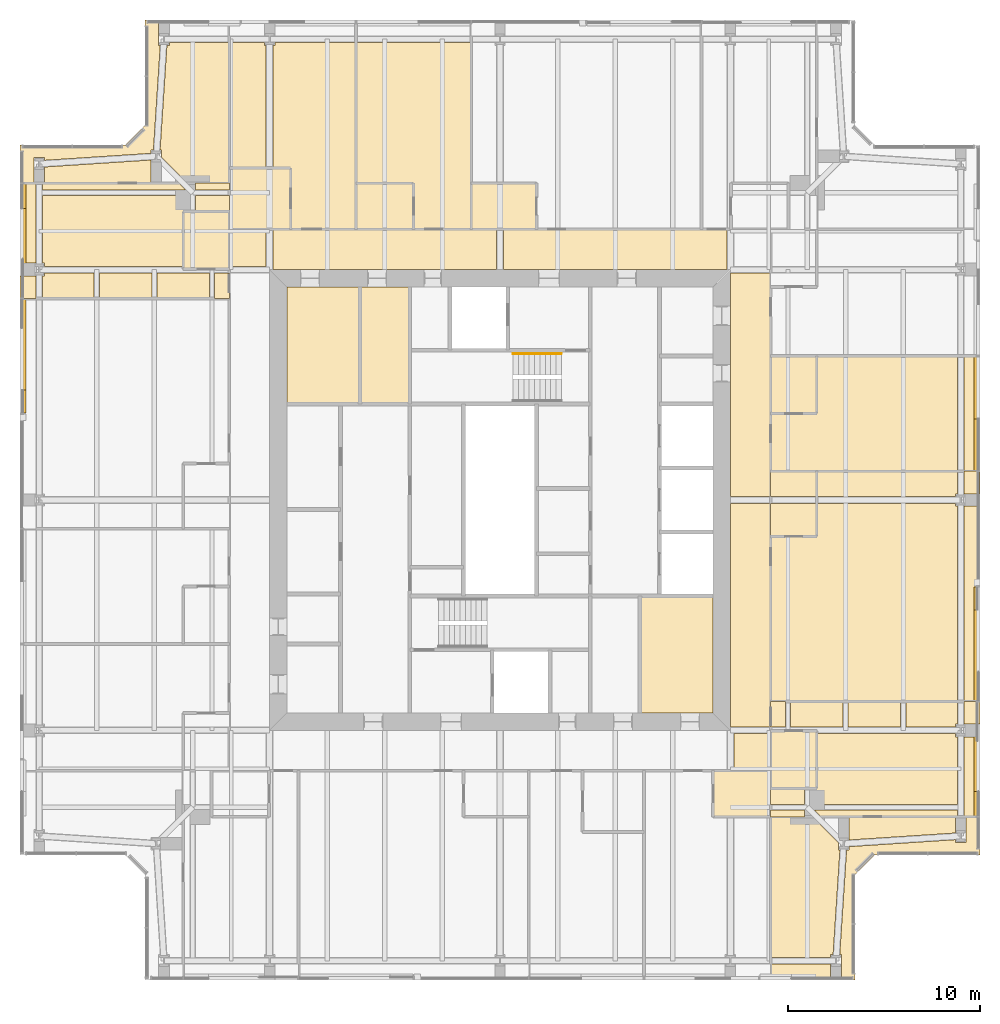
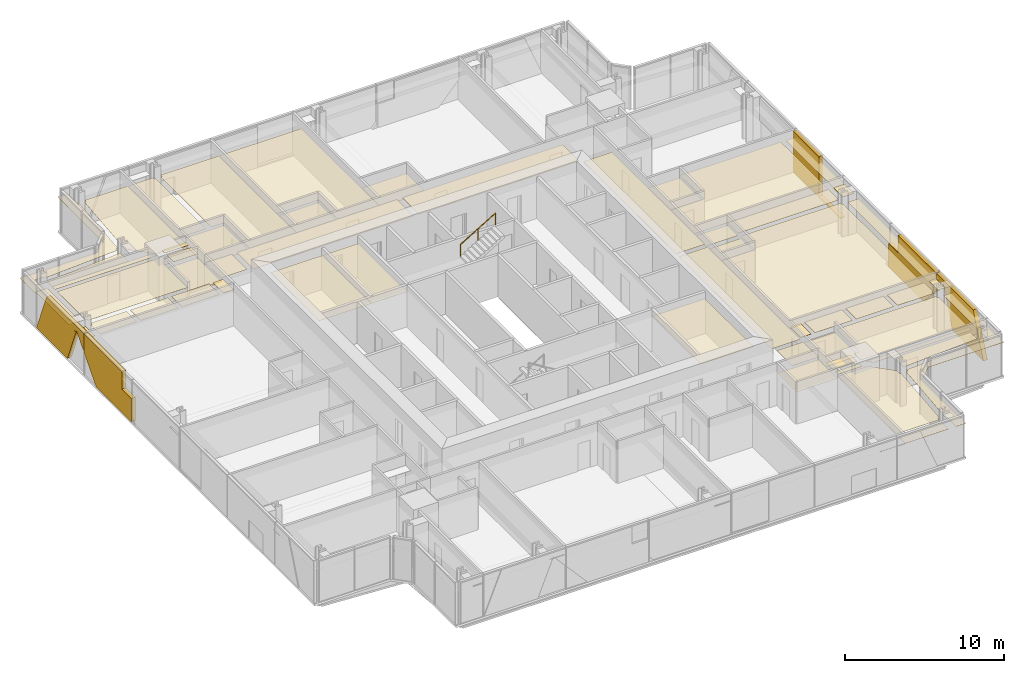
# One storey, part 17 of 18: 59 coverings, 1 railing.
"""IFC4 building model written with IfcOpenShell, lengths in metres."""

from ifc_helpers import new_model, si_unit, direction, frame, origin, origin_2d, place, context, subcontext, project, spatial, polyline, circle, outline, extrude, material, layer, layer_set, type_object, element, save


model = new_model("IFC4")

# Units and contexts
model_context = context("Model", 3, precision=1e-05, world=origin(), true_north=direction((0.0, 1.0)))
body_context = subcontext(model_context, "Body", "Model", "MODEL_VIEW")
ifc_project = project(units=[si_unit("LENGTHUNIT", "METRE"), si_unit("AREAUNIT", "SQUARE_METRE"), si_unit("VOLUMEUNIT", "CUBIC_METRE"), si_unit("PLANEANGLEUNIT", "RADIAN"), si_unit("MASSUNIT", "GRAM", prefix="KILO")], contexts=[model_context])

# Site, building, storey
site_placement = place(None, origin())
site = spatial("IfcSite", under=ifc_project, at=site_placement, CompositionType="ELEMENT")
building_placement = place(site_placement, origin())
building = spatial("IfcBuilding", under=site, at=building_placement, Name="Fenwick Lantern Interchange", CompositionType="ELEMENT")
storey_placement = place(building_placement, frame((0.0, 0.0, 262.800048828125)))
storey = spatial("IfcBuildingStorey", under=building, at=storey_placement, Name="L62", CompositionType="ELEMENT", Elevation=262.800048828125)

# Coverings
ifc_material_1 = material(Name="Granite cladding, warm grey flamed finish, on aluminium carrier frame", Category="masonry")
ifc_layer_1 = layer(ifc_material_1, 0.300048828125)
ifc_layer_set_1 = layer_set([ifc_layer_1], Name="BRACE CASING PANEL 300")
covering_type_1 = type_object("IfcCoveringType", Name="BRACE CASING PANEL 300", PredefinedType="CLADDING", material=ifc_layer_set_1)
covering_1_placement = place(storey_placement, frame((49.89990234375, 6.60009765625, 0.0), z_axis=(0.0, 0.0, 1.0), x_axis=(0.0, 1.0, 0.0)))
element("IfcCovering", 1, at=covering_1_placement, inside=storey, type_object=covering_type_1, Name="Brace casing 05 bay 01a", PredefinedType="CLADDING", context=body_context, shape_type="SweptSolid", body=[
    extrude(outline(polyline([(1.953369140625, 0.0), (5.836669921875, 0.0), (6.97705078125, 2.819580078125), (7.8701171875, 1.807373046875), (7.8701171875, 3.14990234375), (3.227294921875, 3.14990234375), (1.953369140625, 0.0)])), frame((0.0, 0.2099609375, 0.0), z_axis=(0.0, -1.0, 0.0), x_axis=(1.0, 0.0, 0.0)), (0.0, 0.0, 1.0), 0.300048828125),
])
covering_2_placement = place(storey_placement, frame((49.89990234375, 6.60009765625, 0.0), z_axis=(0.0, 0.0, 1.0), x_axis=(0.0, 1.0, 0.0)))
element("IfcCovering", 2, at=covering_2_placement, inside=storey, type_object=covering_type_1, Name="Brace casing 05 bay 02a", PredefinedType="CLADDING", context=body_context, shape_type="SweptSolid", body=[
    extrude(outline(polyline([(9.46484375, 0.0), (13.8701171875, 0.0), (13.8701171875, 1.80126953125), (12.67626953125, 1.80126953125), (12.67626953125, 3.14990234375), (7.929931640625, 3.14990234375), (7.929931640625, 1.7392578125), (9.46484375, 0.0)])), frame((0.0, 0.2099609375, 0.0), z_axis=(0.0, -1.0, 0.0), x_axis=(1.0, 0.0, 0.0)), (0.0, 0.0, 1.0), 0.300048828125),
])
covering_3_placement = place(storey_placement, frame((49.89990234375, 6.60009765625, 0.0), z_axis=(0.0, 0.0, 1.0), x_axis=(0.0, 1.0, 0.0)))
element("IfcCovering", 3, at=covering_3_placement, inside=storey, type_object=covering_type_1, Name="Brace casing 05 bay 04a", PredefinedType="CLADDING", context=body_context, shape_type="SweptSolid", body=[
    extrude(outline(polyline([(19.929931640625, 0.0), (25.8701171875, 0.0), (25.8701171875, 3.14990234375), (22.6201171875, 3.14990234375), (22.6201171875, 0.09716796875), (19.929931640625, 0.09716796875), (19.929931640625, 0.0)])), frame((0.0, 0.2099609375, 0.0), z_axis=(0.0, -1.0, 0.0), x_axis=(1.0, 0.0, 0.0)), (0.0, 0.0, 1.0), 0.300048828125),
])
covering_4_placement = place(storey_placement, frame((0.10009765625, 43.39990234375, 0.0), z_axis=(0.0, 0.0, 1.0), x_axis=(0.0, -1.0, 0.0)))
element("IfcCovering", 4, at=covering_4_placement, inside=storey, type_object=covering_type_1, Name="Brace casing 13 bay 01a", PredefinedType="CLADDING", context=body_context, shape_type="SweptSolid", body=[
    extrude(outline(polyline([(1.953369140625, 0.0), (5.836669921875, 0.0), (6.97705078125, 2.819580078125), (7.8701171875, 1.807373046875), (7.8701171875, 3.14990234375), (3.227294921875, 3.14990234375), (1.953369140625, 0.0)])), frame((0.0, 0.2099609375, 0.0), z_axis=(0.0, -1.0, 0.0), x_axis=(1.0, 0.0, 0.0)), (0.0, 0.0, 1.0), 0.300048828125),
])
covering_5_placement = place(storey_placement, frame((0.10009765625, 43.39990234375, 0.0), z_axis=(0.0, 0.0, 1.0), x_axis=(0.0, -1.0, 0.0)))
element("IfcCovering", 5, at=covering_5_placement, inside=storey, type_object=covering_type_1, Name="Brace casing 13 bay 02a", PredefinedType="CLADDING", context=body_context, shape_type="SweptSolid", body=[
    extrude(outline(polyline([(9.46484375, 0.0), (13.8701171875, 0.0), (13.8701171875, 1.80126953125), (12.67626953125, 1.80126953125), (12.67626953125, 3.14990234375), (7.929931640625, 3.14990234375), (7.929931640625, 1.7392578125), (9.46484375, 0.0)])), frame((0.0, 0.2099609375, 0.0), z_axis=(0.0, -1.0, 0.0), x_axis=(1.0, 0.0, 0.0)), (0.0, 0.0, 1.0), 0.300048828125),
])

# Railing
ifc_material_2 = material(Name="Stainless steel handrail", Category="steel")
railing_type = type_object("IfcRailingType", Name="HANDRAIL 900", PredefinedType="HANDRAIL", material=ifc_material_2)
railing_placement = place(storey_placement, frame((25.679931640625, 32.6259765625, 1.869873046875)))
element("IfcRailing", 6, at=railing_placement, inside=storey, type_object=railing_type, Name="L62/STAIR/ST2/HR2", PredefinedType="HANDRAIL", context=body_context, shape_type="SweptSolid", body=[
    extrude(circle(Radius=0.02392578125, at=origin_2d()), frame((0.0, 0.0, 0.8759765625), z_axis=(0.85478489116, 0.0, 0.518982456201), x_axis=(0.0, 1.0, 0.0)), (0.0, 0.0, 1.0), 2.9482421875),
    extrude(circle(Radius=0.02099609375, at=origin_2d()), origin(), (0.0, 0.0, 1.0), 0.851806640625),
    extrude(circle(Radius=0.02099609375, at=origin_2d()), frame((1.260009765625, 0.0, 0.76513671875)), (0.0, 0.0, 1.0), 0.851806640625),
    extrude(circle(Radius=0.02099609375, at=origin_2d()), frame((2.52001953125, 0.0, 1.530029296875)), (0.0, 0.0, 1.0), 0.851806640625),
])

# Coverings
ifc_material_3 = material(Name="Moisture resistant gypsum board on suspended frame, painted")
ifc_layer_2 = layer(ifc_material_3, 0.014892578125)
ifc_layer_set_2 = layer_set([ifc_layer_2], Name="MOISTURE RESISTANT CEILING 15")
covering_type_2 = type_object("IfcCoveringType", Name="MOISTURE RESISTANT CEILING 15", PredefinedType="CEILING", material=ifc_layer_set_2)
covering_6_placement = place(storey_placement, frame((0.0, 0.0, 2.599853515625)))
element("IfcCovering", 7, at=covering_6_placement, inside=storey, type_object=covering_type_2, Name="Women's WC ceiling", PredefinedType="CEILING", context=body_context, shape_type="SweptSolid", body=[
    extrude(outline(polyline([(32.300048828125, 13.89990234375), (36.10009765625, 13.89990234375), (36.10009765625, 20.0), (32.300048828125, 20.0), (32.300048828125, 13.89990234375)])), origin(), (0.0, 0.0, 1.0), 0.01513671875),
])
covering_7_placement = place(storey_placement, frame((0.0, 0.0, 2.599853515625)))
element("IfcCovering", 8, at=covering_7_placement, inside=storey, type_object=covering_type_2, Name="Men's WC ceiling", PredefinedType="CEILING", context=body_context, shape_type="SweptSolid", body=[
    extrude(outline(polyline([(20.300048828125, 36.10009765625), (17.699951171875, 36.10009765625), (17.699951171875, 30.0), (20.300048828125, 30.0), (20.300048828125, 36.10009765625)])), origin(), (0.0, 0.0, 1.0), 0.01513671875),
])
covering_8_placement = place(storey_placement, frame((0.0, 0.0, 2.599853515625)))
element("IfcCovering", 9, at=covering_8_placement, inside=storey, type_object=covering_type_2, Name="Women's WC ceiling", PredefinedType="CEILING", context=body_context, shape_type="SweptSolid", body=[
    extrude(outline(polyline([(17.699951171875, 36.10009765625), (13.89990234375, 36.10009765625), (13.89990234375, 30.0), (17.699951171875, 30.0), (17.699951171875, 36.10009765625)])), origin(), (0.0, 0.0, 1.0), 0.01513671875),
])
covering_9_placement = place(storey_placement, frame((0.0, 0.0, 2.39990234375)))
element("IfcCovering", 10, at=covering_9_placement, inside=storey, type_object=covering_type_2, Name="En-suite 6204 ceiling", PredefinedType="CEILING", context=body_context, shape_type="SweptSolid", body=[
    extrude(outline(polyline([(36.10009765625, 8.5), (39.10009765625, 8.5), (39.10009765625, 10.89990234375), (36.10009765625, 10.89990234375), (36.10009765625, 8.5)])), origin(), (0.0, 0.0, 1.0), 0.01513671875),
])
covering_10_placement = place(storey_placement, frame((0.0, 0.0, 2.39990234375)))
element("IfcCovering", 11, at=covering_10_placement, inside=storey, type_object=covering_type_2, Name="En-suite 6205 ceiling", PredefinedType="CEILING", context=body_context, shape_type="SweptSolid", body=[
    extrude(outline(polyline([(41.5, 9.97509765625), (41.5, 12.97509765625), (39.10009765625, 12.97509765625), (39.10009765625, 9.97509765625), (41.5, 9.97509765625)])), origin(), (0.0, 0.0, 1.0), 0.01513671875),
])
covering_11_placement = place(storey_placement, frame((0.0, 0.0, 2.39990234375)))
element("IfcCovering", 12, at=covering_11_placement, inside=storey, type_object=covering_type_2, Name="En-suite 6206 ceiling", PredefinedType="CEILING", context=body_context, shape_type="SweptSolid", body=[
    extrude(outline(polyline([(41.5, 23.10009765625), (41.5, 24.824951171875), (39.10009765625, 24.824951171875), (39.10009765625, 23.10009765625), (41.5, 23.10009765625)])), origin(), (0.0, 0.0, 1.0), 0.01513671875),
])
covering_12_placement = place(storey_placement, frame((0.0, 0.0, 2.39990234375)))
element("IfcCovering", 13, at=covering_12_placement, inside=storey, type_object=covering_type_2, Name="En-suite 6206 ceiling", PredefinedType="CEILING", context=body_context, shape_type="SweptSolid", body=[
    extrude(outline(polyline([(39.10009765625, 26.5), (39.10009765625, 25.175048828125), (41.5, 25.175048828125), (41.5, 26.5), (39.10009765625, 26.5)])), origin(), (0.0, 0.0, 1.0), 0.01513671875),
])
covering_13_placement = place(storey_placement, frame((0.0, 0.0, 2.39990234375)))
element("IfcCovering", 14, at=covering_13_placement, inside=storey, type_object=covering_type_2, Name="En-suite 6207 ceiling", PredefinedType="CEILING", context=body_context, shape_type="SweptSolid", body=[
    extrude(outline(polyline([(41.5, 29.5), (41.5, 32.5), (39.10009765625, 32.5), (39.10009765625, 29.5), (41.5, 29.5)])), origin(), (0.0, 0.0, 1.0), 0.01513671875),
])
covering_14_placement = place(storey_placement, frame((0.0, 0.0, 2.39990234375)))
element("IfcCovering", 15, at=covering_14_placement, inside=storey, type_object=covering_type_2, Name="En-suite 6210 ceiling", PredefinedType="CEILING", context=body_context, shape_type="SweptSolid", body=[
    extrude(outline(polyline([(26.89990234375, 41.5), (23.5, 41.5), (23.5, 39.10009765625), (26.89990234375, 39.10009765625), (26.89990234375, 41.5)])), origin(), (0.0, 0.0, 1.0), 0.01513671875),
])
covering_15_placement = place(storey_placement, frame((0.0, 0.0, 2.39990234375)))
element("IfcCovering", 16, at=covering_15_placement, inside=storey, type_object=covering_type_2, Name="En-suite 6211 ceiling", PredefinedType="CEILING", context=body_context, shape_type="SweptSolid", body=[
    extrude(outline(polyline([(20.5, 41.5), (17.5, 41.5), (17.5, 39.10009765625), (20.5, 39.10009765625), (20.5, 41.5)])), origin(), (0.0, 0.0, 1.0), 0.01513671875),
])
covering_16_placement = place(storey_placement, frame((0.0, 0.0, 2.39990234375)))
element("IfcCovering", 17, at=covering_16_placement, inside=storey, type_object=covering_type_2, Name="En-suite 6212 ceiling", PredefinedType="CEILING", context=body_context, shape_type="SweptSolid", body=[
    extrude(outline(polyline([(14.10009765625, 42.300048828125), (10.89990234375, 42.300048828125), (10.89990234375, 39.10009765625), (14.10009765625, 39.10009765625), (14.10009765625, 42.300048828125)])), origin(), (0.0, 0.0, 1.0), 0.01513671875),
])
covering_17_placement = place(storey_placement, frame((0.0, 0.0, 2.39990234375)))
element("IfcCovering", 18, at=covering_17_placement, inside=storey, type_object=covering_type_2, Name="En-suite 6213 ceiling", PredefinedType="CEILING", context=body_context, shape_type="SweptSolid", body=[
    extrude(outline(polyline([(8.5, 40.02490234375), (8.5, 37.02490234375), (10.89990234375, 37.02490234375), (10.89990234375, 40.02490234375), (8.5, 40.02490234375)])), origin(), (0.0, 0.0, 1.0), 0.01513671875),
])
ifc_material_4 = material(Name="Gypsum plasterboard on suspended frame, painted")
ifc_layer_3 = layer(ifc_material_4, 0.014892578125)
ifc_layer_set_3 = layer_set([ifc_layer_3], Name="PLASTERBOARD CEILING 15")
covering_type_3 = type_object("IfcCoveringType", Name="PLASTERBOARD CEILING 15", PredefinedType="CEILING", material=ifc_layer_set_3)
covering_18_placement = place(storey_placement, frame((0.0, 0.0, 2.57275390625)))
element("IfcCovering", 19, at=covering_18_placement, inside=storey, type_object=covering_type_3, Name="Corridor ceiling", PredefinedType="CEILING", context=body_context, shape_type="SweptSolid", body=[
    extrude(outline(polyline([(39.10009765625, 25.175048828125), (39.10009765625, 36.833984375), (37.0, 36.833984375), (37.0, 25.175048828125), (39.10009765625, 25.175048828125)])), origin(), (0.0, 0.0, 1.0), 0.01513671875),
])
covering_19_placement = place(storey_placement, frame((0.0, 0.0, 2.57275390625)))
element("IfcCovering", 20, at=covering_19_placement, inside=storey, type_object=covering_type_3, Name="Corridor ceiling", PredefinedType="CEILING", context=body_context, shape_type="SweptSolid", body=[
    extrude(outline(polyline([(39.10009765625, 13.166015625), (39.10009765625, 24.824951171875), (37.0, 24.824951171875), (37.0, 13.166015625), (39.10009765625, 13.166015625)])), origin(), (0.0, 0.0, 1.0), 0.01513671875),
])
covering_20_placement = place(storey_placement, frame((0.0, 0.0, 2.57275390625)))
element("IfcCovering", 21, at=covering_20_placement, inside=storey, type_object=covering_type_3, Name="Corridor ceiling", PredefinedType="CEILING", context=body_context, shape_type="SweptSolid", body=[
    extrude(outline(polyline([(24.816162109375, 39.10009765625), (13.183837890625, 39.10009765625), (13.183837890625, 37.0), (24.816162109375, 37.0), (24.816162109375, 39.10009765625)])), origin(), (0.0, 0.0, 1.0), 0.01513671875),
])
covering_21_placement = place(storey_placement, frame((0.0, 0.0, 2.57275390625)))
element("IfcCovering", 22, at=covering_21_placement, inside=storey, type_object=covering_type_3, Name="Corridor ceiling", PredefinedType="CEILING", context=body_context, shape_type="SweptSolid", body=[
    extrude(outline(polyline([(36.816162109375, 39.10009765625), (25.183837890625, 39.10009765625), (25.183837890625, 37.0), (36.816162109375, 37.0), (36.816162109375, 39.10009765625)])), origin(), (0.0, 0.0, 1.0), 0.01513671875),
])
covering_22_placement = place(storey_placement, frame((0.0, 0.0, 2.57275390625)))
element("IfcCovering", 23, at=covering_22_placement, inside=storey, type_object=covering_type_3, Name="Corridor ceiling", PredefinedType="CEILING", context=body_context, shape_type="SweptSolid", body=[
    extrude(outline(polyline([(12.816162109375, 39.10009765625), (10.89990234375, 39.10009765625), (10.89990234375, 37.166015625), (12.816162109375, 37.166015625), (12.816162109375, 39.10009765625)])), origin(), (0.0, 0.0, 1.0), 0.01513671875),
])
covering_23_placement = place(storey_placement, frame((0.0, 0.0, 2.57275390625)))
element("IfcCovering", 24, at=covering_23_placement, inside=storey, type_object=covering_type_3, Name="Corridor ceiling", PredefinedType="CEILING", context=body_context, shape_type="SweptSolid", body=[
    extrude(outline(polyline([(39.10009765625, 10.89990234375), (39.10009765625, 12.833984375), (37.183837890625, 12.833984375), (37.183837890625, 10.89990234375), (39.10009765625, 10.89990234375)])), origin(), (0.0, 0.0, 1.0), 0.01513671875),
])
covering_24_placement = place(storey_placement, frame((0.0, 0.0, 2.57275390625)))
element("IfcCovering", 25, at=covering_24_placement, inside=storey, type_object=covering_type_3, Name="Guest suite 6205 sitting room ceiling", PredefinedType="CEILING", context=body_context, shape_type="SweptSolid", body=[
    extrude(outline(polyline([(42.22265625, 1.33447265625), (42.34912109375, 1.33447265625), (42.705322265625, 6.765625), (42.62255859375, 6.765625), (42.62255859375, 7.160400390625), (41.283203125, 8.5), (39.10009765625, 8.5), (39.10009765625, 1.17236328125), (42.22265625, 1.17236328125), (42.22265625, 1.33447265625)])), origin(), (0.0, 0.0, 1.0), 0.01513671875),
])
covering_25_placement = place(storey_placement, frame((0.0, 0.0, 2.57275390625)))
element("IfcCovering", 26, at=covering_25_placement, inside=storey, type_object=covering_type_3, Name="Guest suite 6205 sitting room ceiling", PredefinedType="CEILING", context=body_context, shape_type="SweptSolid", body=[
    extrude(outline(polyline([(42.77734375, 1.33447265625), (42.77734375, 0.0), (43.5, 0.0), (43.5, 5.5), (44.5, 6.5), (50.0, 6.5), (50.0, 8.5), (49.27734375, 8.5), (49.27734375, 7.16552734375), (48.72265625, 7.16552734375), (48.72265625, 7.30908203125), (43.17724609375, 6.9453125), (43.17724609375, 6.765625), (43.05078125, 6.765625), (42.69482421875, 1.33447265625), (42.77734375, 1.33447265625)])), origin(), (0.0, 0.0, 1.0), 0.01513671875),
])
covering_26_placement = place(storey_placement, frame((0.0, 0.0, 2.57275390625)))
element("IfcCovering", 27, at=covering_26_placement, inside=storey, type_object=covering_type_3, Name="Guest suite 6205 sitting room ceiling", PredefinedType="CEILING", context=body_context, shape_type="SweptSolid", body=[
    extrude(outline(polyline([(43.17724609375, 8.5), (43.17724609375, 7.291015625), (48.72265625, 7.654541015625), (48.72265625, 8.5), (43.17724609375, 8.5)])), origin(), (0.0, 0.0, 1.0), 0.01513671875),
])
covering_27_placement = place(storey_placement, frame((0.0, 0.0, 2.57275390625)))
element("IfcCovering", 28, at=covering_27_placement, inside=storey, type_object=covering_type_3, Name="Guest suite 6205 sitting room ceiling", PredefinedType="CEILING", context=body_context, shape_type="SweptSolid", body=[
    extrude(outline(polyline([(42.22265625, 0.0), (42.22265625, 0.82763671875), (39.10009765625, 0.82763671875), (39.10009765625, 0.0), (42.22265625, 0.0)])), origin(), (0.0, 0.0, 1.0), 0.01513671875),
])
covering_28_placement = place(storey_placement, frame((0.0, 0.0, 2.699951171875)))
element("IfcCovering", 29, at=covering_28_placement, inside=storey, type_object=covering_type_3, Name="Guest suite 6205 bedroom ceiling", PredefinedType="CEILING", context=body_context, shape_type="SweptSolid", body=[
    extrude(outline(polyline([(48.72265625, 12.66552734375), (48.72265625, 12.833984375), (41.5, 12.833984375), (41.5, 9.97509765625), (41.134521484375, 9.97509765625), (41.134521484375, 9.134521484375), (48.82763671875, 9.134521484375), (48.82763671875, 12.66552734375), (48.72265625, 12.66552734375)])), origin(), (0.0, 0.0, 1.0), 0.014892578125),
])
covering_29_placement = place(storey_placement, frame((0.0, 0.0, 2.699951171875)))
element("IfcCovering", 30, at=covering_29_placement, inside=storey, type_object=covering_type_3, Name="Guest suite 6205 bedroom ceiling", PredefinedType="CEILING", context=body_context, shape_type="SweptSolid", body=[
    extrude(outline(polyline([(42.865478515625, 14.5), (40.134521484375, 14.5), (40.134521484375, 13.166015625), (42.865478515625, 13.166015625), (42.865478515625, 14.5)])), origin(), (0.0, 0.0, 1.0), 0.014892578125),
])
covering_30_placement = place(storey_placement, frame((0.0, 0.0, 2.699951171875)))
element("IfcCovering", 31, at=covering_30_placement, inside=storey, type_object=covering_type_3, Name="Guest suite 6205 bedroom ceiling", PredefinedType="CEILING", context=body_context, shape_type="SweptSolid", body=[
    extrude(outline(polyline([(45.865478515625, 14.5), (43.134521484375, 14.5), (43.134521484375, 13.166015625), (45.865478515625, 13.166015625), (45.865478515625, 14.5)])), origin(), (0.0, 0.0, 1.0), 0.014892578125),
])
covering_31_placement = place(storey_placement, frame((0.0, 0.0, 2.699951171875)))
element("IfcCovering", 32, at=covering_31_placement, inside=storey, type_object=covering_type_3, Name="Guest suite 6205 bedroom ceiling", PredefinedType="CEILING", context=body_context, shape_type="SweptSolid", body=[
    extrude(outline(polyline([(48.72265625, 13.33447265625), (48.82763671875, 13.33447265625), (48.82763671875, 14.5), (46.134521484375, 14.5), (46.134521484375, 13.166015625), (48.72265625, 13.166015625), (48.72265625, 13.33447265625)])), origin(), (0.0, 0.0, 1.0), 0.014892578125),
])
covering_32_placement = place(storey_placement, frame((0.0, 0.0, 2.699951171875)))
element("IfcCovering", 33, at=covering_32_placement, inside=storey, type_object=covering_type_3, Name="Guest suite 6205 bedroom ceiling", PredefinedType="CEILING", context=body_context, shape_type="SweptSolid", body=[
    extrude(outline(polyline([(50.0, 12.66552734375), (49.17236328125, 12.66552734375), (49.17236328125, 8.5), (50.0, 8.5), (50.0, 12.66552734375)])), origin(), (0.0, 0.0, 1.0), 0.014892578125),
])
covering_33_placement = place(storey_placement, frame((0.0, 0.0, 2.699951171875)))
element("IfcCovering", 34, at=covering_33_placement, inside=storey, type_object=covering_type_3, Name="Guest suite 6205 bedroom ceiling", PredefinedType="CEILING", context=body_context, shape_type="SweptSolid", body=[
    extrude(outline(polyline([(41.716796875, 8.5), (48.82763671875, 8.5), (48.82763671875, 8.865478515625), (41.351318359375, 8.865478515625), (41.716796875, 8.5)])), origin(), (0.0, 0.0, 1.0), 0.014892578125),
])
covering_34_placement = place(storey_placement, frame((0.0, 0.0, 2.699951171875)))
element("IfcCovering", 35, at=covering_34_placement, inside=storey, type_object=covering_type_3, Name="Guest suite 6205 bedroom ceiling", PredefinedType="CEILING", context=body_context, shape_type="SweptSolid", body=[
    extrude(outline(polyline([(39.10009765625, 9.97509765625), (39.10009765625, 9.134521484375), (40.865478515625, 9.134521484375), (40.865478515625, 9.97509765625), (39.10009765625, 9.97509765625)])), origin(), (0.0, 0.0, 1.0), 0.014892578125),
])
covering_35_placement = place(storey_placement, frame((0.0, 0.0, 2.699951171875)))
element("IfcCovering", 36, at=covering_35_placement, inside=storey, type_object=covering_type_3, Name="Guest suite 6205 bedroom ceiling", PredefinedType="CEILING", context=body_context, shape_type="SweptSolid", body=[
    extrude(outline(polyline([(39.10009765625, 14.5), (39.10009765625, 13.166015625), (39.865478515625, 13.166015625), (39.865478515625, 14.5), (39.10009765625, 14.5)])), origin(), (0.0, 0.0, 1.0), 0.014892578125),
])
covering_36_placement = place(storey_placement, frame((0.0, 0.0, 2.699951171875)))
element("IfcCovering", 37, at=covering_36_placement, inside=storey, type_object=covering_type_3, Name="Guest suite 6205 bedroom ceiling", PredefinedType="CEILING", context=body_context, shape_type="SweptSolid", body=[
    extrude(outline(polyline([(50.0, 13.33447265625), (50.0, 14.5), (49.17236328125, 14.5), (49.17236328125, 13.33447265625), (50.0, 13.33447265625)])), origin(), (0.0, 0.0, 1.0), 0.014892578125),
])
covering_37_placement = place(storey_placement, frame((0.0, 0.0, 2.699951171875)))
element("IfcCovering", 38, at=covering_37_placement, inside=storey, type_object=covering_type_3, Name="Guest suite 6205 bedroom ceiling", PredefinedType="CEILING", context=body_context, shape_type="SweptSolid", body=[
    extrude(outline(polyline([(39.10009765625, 8.5), (40.865478515625, 8.5), (40.865478515625, 8.865478515625), (39.10009765625, 8.865478515625), (39.10009765625, 8.5)])), origin(), (0.0, 0.0, 1.0), 0.014892578125),
])
covering_38_placement = place(storey_placement, frame((0.0, 0.0, 2.57275390625)))
element("IfcCovering", 39, at=covering_38_placement, inside=storey, type_object=covering_type_3, Name="Guest suite 6206 ceiling", PredefinedType="CEILING", context=body_context, shape_type="SweptSolid", body=[
    extrude(outline(polyline([(48.72900390625, 24.6845703125), (48.72900390625, 24.824951171875), (41.5, 24.824951171875), (41.5, 23.10009765625), (39.10009765625, 23.10009765625), (39.10009765625, 14.5), (48.82763671875, 14.5), (48.82763671875, 24.6845703125), (48.72900390625, 24.6845703125)])), origin(), (0.0, 0.0, 1.0), 0.01513671875),
])
covering_39_placement = place(storey_placement, frame((0.0, 0.0, 2.57275390625)))
element("IfcCovering", 40, at=covering_39_placement, inside=storey, type_object=covering_type_3, Name="Guest suite 6206 ceiling", PredefinedType="CEILING", context=body_context, shape_type="SweptSolid", body=[
    extrude(outline(polyline([(48.72900390625, 25.3154296875), (48.82763671875, 25.3154296875), (48.82763671875, 26.5), (41.5, 26.5), (41.5, 25.175048828125), (48.72900390625, 25.175048828125), (48.72900390625, 25.3154296875)])), origin(), (0.0, 0.0, 1.0), 0.01513671875),
])
covering_40_placement = place(storey_placement, frame((0.0, 0.0, 2.57275390625)))
element("IfcCovering", 41, at=covering_40_placement, inside=storey, type_object=covering_type_3, Name="Guest suite 6206 ceiling", PredefinedType="CEILING", context=body_context, shape_type="SweptSolid", body=[
    extrude(outline(polyline([(50.0, 24.6845703125), (49.17236328125, 24.6845703125), (49.17236328125, 14.5), (50.0, 14.5), (50.0, 24.6845703125)])), origin(), (0.0, 0.0, 1.0), 0.01513671875),
])
covering_41_placement = place(storey_placement, frame((0.0, 0.0, 2.57275390625)))
element("IfcCovering", 42, at=covering_41_placement, inside=storey, type_object=covering_type_3, Name="Guest suite 6206 ceiling", PredefinedType="CEILING", context=body_context, shape_type="SweptSolid", body=[
    extrude(outline(polyline([(49.17236328125, 25.3154296875), (50.0, 25.3154296875), (50.0, 26.5), (49.17236328125, 26.5), (49.17236328125, 25.3154296875)])), origin(), (0.0, 0.0, 1.0), 0.01513671875),
])
covering_42_placement = place(storey_placement, frame((0.0, 0.0, 2.57275390625)))
element("IfcCovering", 43, at=covering_42_placement, inside=storey, type_object=covering_type_3, Name="Guest room 6207 ceiling", PredefinedType="CEILING", context=body_context, shape_type="SweptSolid", body=[
    extrude(outline(polyline([(39.10009765625, 26.5), (48.82763671875, 26.5), (48.82763671875, 32.5), (41.5, 32.5), (41.5, 29.5), (39.10009765625, 29.5), (39.10009765625, 26.5)])), origin(), (0.0, 0.0, 1.0), 0.01513671875),
])
covering_43_placement = place(storey_placement, frame((0.0, 0.0, 2.57275390625)))
element("IfcCovering", 44, at=covering_43_placement, inside=storey, type_object=covering_type_3, Name="Guest room 6207 ceiling", PredefinedType="CEILING", context=body_context, shape_type="SweptSolid", body=[
    extrude(outline(polyline([(50.0, 26.5), (50.0, 32.5), (49.17236328125, 32.5), (49.17236328125, 26.5), (50.0, 26.5)])), origin(), (0.0, 0.0, 1.0), 0.01513671875),
])
covering_44_placement = place(storey_placement, frame((0.0, 0.0, 2.57275390625)))
element("IfcCovering", 45, at=covering_44_placement, inside=storey, type_object=covering_type_3, Name="Guest room 6211 ceiling", PredefinedType="CEILING", context=body_context, shape_type="SweptSolid", body=[
    extrude(outline(polyline([(23.5, 39.10009765625), (23.5, 48.82763671875), (17.5, 48.82763671875), (17.5, 41.5), (20.5, 41.5), (20.5, 39.10009765625), (23.5, 39.10009765625)])), origin(), (0.0, 0.0, 1.0), 0.01513671875),
])
covering_45_placement = place(storey_placement, frame((0.0, 0.0, 2.57275390625)))
element("IfcCovering", 46, at=covering_45_placement, inside=storey, type_object=covering_type_3, Name="Guest room 6212 ceiling", PredefinedType="CEILING", context=body_context, shape_type="SweptSolid", body=[
    extrude(outline(polyline([(13.27734375, 48.66552734375), (13.183837890625, 48.66552734375), (13.183837890625, 42.300048828125), (14.10009765625, 42.300048828125), (14.10009765625, 39.10009765625), (17.5, 39.10009765625), (17.5, 48.82763671875), (13.27734375, 48.82763671875), (13.27734375, 48.66552734375)])), origin(), (0.0, 0.0, 1.0), 0.01513671875),
])
covering_46_placement = place(storey_placement, frame((0.0, 0.0, 2.57275390625)))
element("IfcCovering", 47, at=covering_46_placement, inside=storey, type_object=covering_type_3, Name="Guest room 6212 ceiling", PredefinedType="CEILING", context=body_context, shape_type="SweptSolid", body=[
    extrude(outline(polyline([(12.72265625, 48.66552734375), (12.72265625, 48.82763671875), (10.89990234375, 48.82763671875), (10.89990234375, 42.300048828125), (12.816162109375, 42.300048828125), (12.816162109375, 48.66552734375), (12.72265625, 48.66552734375)])), origin(), (0.0, 0.0, 1.0), 0.01513671875),
])
covering_47_placement = place(storey_placement, frame((0.0, 0.0, 2.57275390625)))
element("IfcCovering", 48, at=covering_47_placement, inside=storey, type_object=covering_type_3, Name="Guest suite 6213 sitting room ceiling", PredefinedType="CEILING", context=body_context, shape_type="SweptSolid", body=[
    extrude(outline(polyline([(7.77734375, 48.66552734375), (7.65087890625, 48.66552734375), (7.294677734375, 43.234375), (7.37744140625, 43.234375), (7.37744140625, 42.839599609375), (8.716796875, 41.5), (10.89990234375, 41.5), (10.89990234375, 48.82763671875), (7.77734375, 48.82763671875), (7.77734375, 48.66552734375)])), origin(), (0.0, 0.0, 1.0), 0.01513671875),
])
covering_48_placement = place(storey_placement, frame((0.0, 0.0, 2.57275390625)))
element("IfcCovering", 49, at=covering_48_placement, inside=storey, type_object=covering_type_3, Name="Guest suite 6213 sitting room ceiling", PredefinedType="CEILING", context=body_context, shape_type="SweptSolid", body=[
    extrude(outline(polyline([(7.22265625, 48.66552734375), (7.22265625, 50.0), (6.5, 50.0), (6.5, 44.5), (5.5, 43.5), (0.0, 43.5), (0.0, 41.5), (0.72265625, 41.5), (0.72265625, 42.83447265625), (1.27734375, 42.83447265625), (1.27734375, 42.69091796875), (6.82275390625, 43.0546875), (6.82275390625, 43.234375), (6.94921875, 43.234375), (7.30517578125, 48.66552734375), (7.22265625, 48.66552734375)])), origin(), (0.0, 0.0, 1.0), 0.01513671875),
])
covering_49_placement = place(storey_placement, frame((0.0, 0.0, 2.57275390625)))
element("IfcCovering", 50, at=covering_49_placement, inside=storey, type_object=covering_type_3, Name="Guest suite 6213 sitting room ceiling", PredefinedType="CEILING", context=body_context, shape_type="SweptSolid", body=[
    extrude(outline(polyline([(6.82275390625, 41.5), (6.82275390625, 42.708984375), (1.27734375, 42.345458984375), (1.27734375, 41.5), (6.82275390625, 41.5)])), origin(), (0.0, 0.0, 1.0), 0.01513671875),
])
covering_50_placement = place(storey_placement, frame((0.0, 0.0, 2.699951171875)))
element("IfcCovering", 51, at=covering_50_placement, inside=storey, type_object=covering_type_3, Name="Guest suite 6213 bedroom ceiling", PredefinedType="CEILING", context=body_context, shape_type="SweptSolid", body=[
    extrude(outline(polyline([(1.27734375, 37.33447265625), (1.27734375, 37.166015625), (8.5, 37.166015625), (8.5, 40.02490234375), (8.865478515625, 40.02490234375), (8.865478515625, 40.865478515625), (1.17236328125, 40.865478515625), (1.17236328125, 37.33447265625), (1.27734375, 37.33447265625)])), origin(), (0.0, 0.0, 1.0), 0.014892578125),
])
covering_51_placement = place(storey_placement, frame((0.0, 0.0, 2.699951171875)))
element("IfcCovering", 52, at=covering_51_placement, inside=storey, type_object=covering_type_3, Name="Guest suite 6213 bedroom ceiling", PredefinedType="CEILING", context=body_context, shape_type="SweptSolid", body=[
    extrude(outline(polyline([(4.134521484375, 35.5), (6.865478515625, 35.5), (6.865478515625, 36.833984375), (4.134521484375, 36.833984375), (4.134521484375, 35.5)])), origin(), (0.0, 0.0, 1.0), 0.014892578125),
])
covering_52_placement = place(storey_placement, frame((0.0, 0.0, 2.699951171875)))
element("IfcCovering", 53, at=covering_52_placement, inside=storey, type_object=covering_type_3, Name="Guest suite 6213 bedroom ceiling", PredefinedType="CEILING", context=body_context, shape_type="SweptSolid", body=[
    extrude(outline(polyline([(7.134521484375, 35.5), (9.865478515625, 35.5), (9.865478515625, 36.833984375), (7.134521484375, 36.833984375), (7.134521484375, 35.5)])), origin(), (0.0, 0.0, 1.0), 0.014892578125),
])
covering_53_placement = place(storey_placement, frame((0.0, 0.0, 2.699951171875)))
element("IfcCovering", 54, at=covering_53_placement, inside=storey, type_object=covering_type_3, Name="Guest suite 6213 bedroom ceiling", PredefinedType="CEILING", context=body_context, shape_type="SweptSolid", body=[
    extrude(outline(polyline([(1.27734375, 36.66552734375), (1.17236328125, 36.66552734375), (1.17236328125, 35.5), (3.865478515625, 35.5), (3.865478515625, 36.833984375), (1.27734375, 36.833984375), (1.27734375, 36.66552734375)])), origin(), (0.0, 0.0, 1.0), 0.014892578125),
])
covering_54_placement = place(storey_placement, frame((0.0, 0.0, 2.699951171875)))
element("IfcCovering", 55, at=covering_54_placement, inside=storey, type_object=covering_type_3, Name="Guest suite 6213 bedroom ceiling", PredefinedType="CEILING", context=body_context, shape_type="SweptSolid", body=[
    extrude(outline(polyline([(0.0, 37.33447265625), (0.82763671875, 37.33447265625), (0.82763671875, 41.5), (0.0, 41.5), (0.0, 37.33447265625)])), origin(), (0.0, 0.0, 1.0), 0.014892578125),
])
covering_55_placement = place(storey_placement, frame((0.0, 0.0, 2.699951171875)))
element("IfcCovering", 56, at=covering_55_placement, inside=storey, type_object=covering_type_3, Name="Guest suite 6213 bedroom ceiling", PredefinedType="CEILING", context=body_context, shape_type="SweptSolid", body=[
    extrude(outline(polyline([(8.283203125, 41.5), (1.17236328125, 41.5), (1.17236328125, 41.134521484375), (8.648681640625, 41.134521484375), (8.283203125, 41.5)])), origin(), (0.0, 0.0, 1.0), 0.014892578125),
])
covering_56_placement = place(storey_placement, frame((0.0, 0.0, 2.699951171875)))
element("IfcCovering", 57, at=covering_56_placement, inside=storey, type_object=covering_type_3, Name="Guest suite 6213 bedroom ceiling", PredefinedType="CEILING", context=body_context, shape_type="SweptSolid", body=[
    extrude(outline(polyline([(10.89990234375, 40.02490234375), (10.89990234375, 40.865478515625), (9.134521484375, 40.865478515625), (9.134521484375, 40.02490234375), (10.89990234375, 40.02490234375)])), origin(), (0.0, 0.0, 1.0), 0.014892578125),
])
covering_57_placement = place(storey_placement, frame((0.0, 0.0, 2.699951171875)))
element("IfcCovering", 58, at=covering_57_placement, inside=storey, type_object=covering_type_3, Name="Guest suite 6213 bedroom ceiling", PredefinedType="CEILING", context=body_context, shape_type="SweptSolid", body=[
    extrude(outline(polyline([(10.89990234375, 35.5), (10.89990234375, 36.833984375), (10.134521484375, 36.833984375), (10.134521484375, 35.5), (10.89990234375, 35.5)])), origin(), (0.0, 0.0, 1.0), 0.014892578125),
])
covering_58_placement = place(storey_placement, frame((0.0, 0.0, 2.699951171875)))
element("IfcCovering", 59, at=covering_58_placement, inside=storey, type_object=covering_type_3, Name="Guest suite 6213 bedroom ceiling", PredefinedType="CEILING", context=body_context, shape_type="SweptSolid", body=[
    extrude(outline(polyline([(0.0, 36.66552734375), (0.0, 35.5), (0.82763671875, 35.5), (0.82763671875, 36.66552734375), (0.0, 36.66552734375)])), origin(), (0.0, 0.0, 1.0), 0.014892578125),
])
covering_59_placement = place(storey_placement, frame((0.0, 0.0, 2.699951171875)))
element("IfcCovering", 60, at=covering_59_placement, inside=storey, type_object=covering_type_3, Name="Guest suite 6213 bedroom ceiling", PredefinedType="CEILING", context=body_context, shape_type="SweptSolid", body=[
    extrude(outline(polyline([(10.89990234375, 41.5), (9.134521484375, 41.5), (9.134521484375, 41.134521484375), (10.89990234375, 41.134521484375), (10.89990234375, 41.5)])), origin(), (0.0, 0.0, 1.0), 0.014892578125),
])

save(model, "model.ifc")
